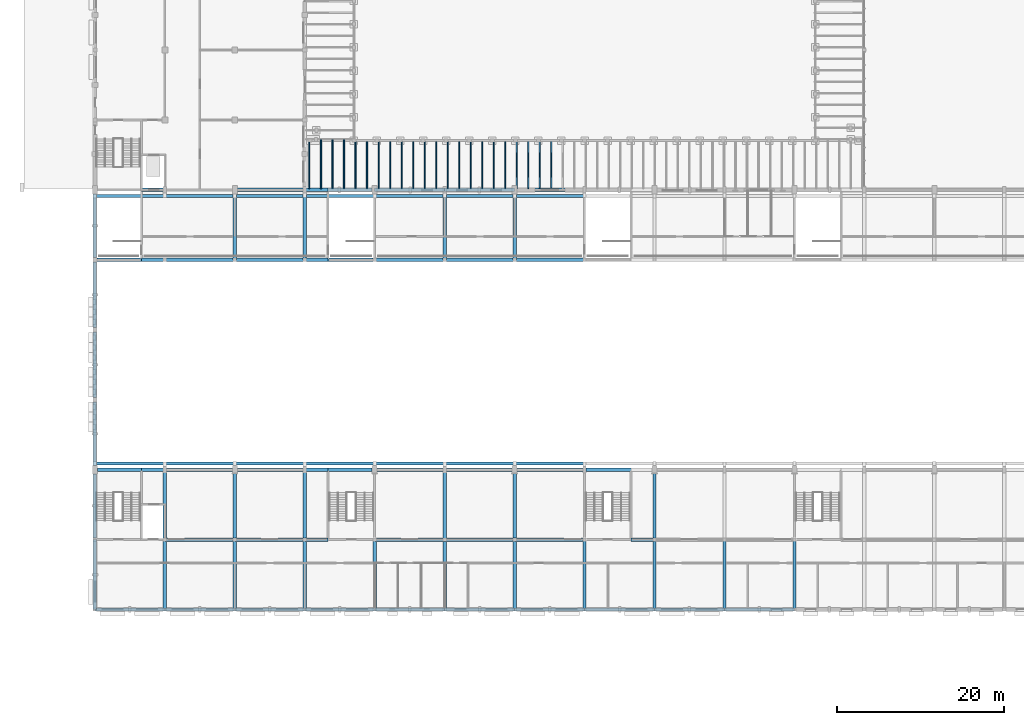
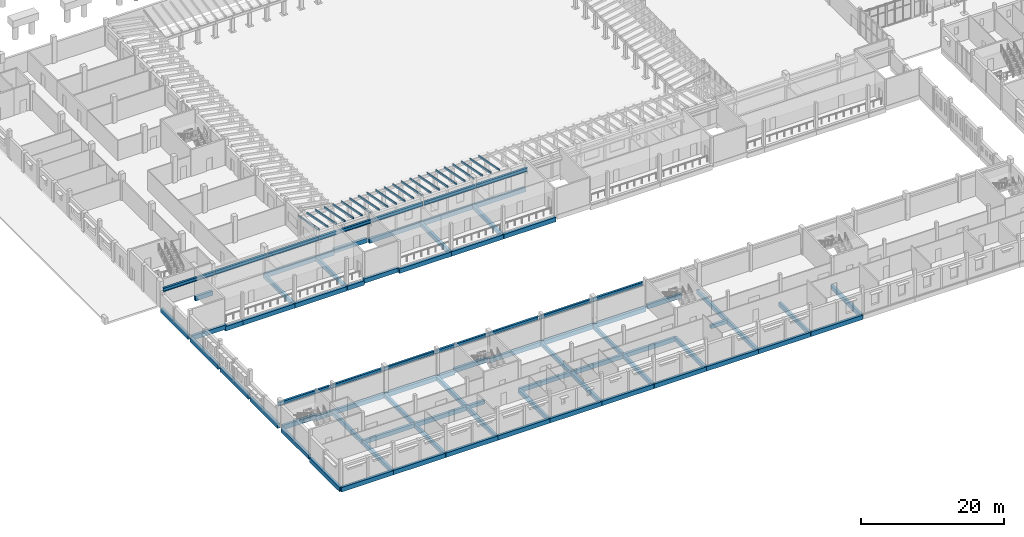
# One storey, part 8 of 60: 83 beams, 22 members.
"""IFC4 building model written with IfcOpenShell, lengths in metres."""

from ifc_helpers import new_model, si_unit, direction, frame, origin, origin_2d, place, context, subcontext, project, spatial, rectangle, i_section, extrude, material, material_profile, profile_set, type_object, element, save


model = new_model("IFC4")

# Units and contexts
model_context = context("Model", 3, precision=1e-05, world=origin(), true_north=direction((0.0, 1.0)))
body_context = subcontext(model_context, "Body", "Model", "MODEL_VIEW")
ifc_project = project(units=[si_unit("LENGTHUNIT", "METRE"), si_unit("AREAUNIT", "SQUARE_METRE"), si_unit("VOLUMEUNIT", "CUBIC_METRE"), si_unit("PLANEANGLEUNIT", "RADIAN"), si_unit("MASSUNIT", "GRAM", prefix="KILO")], contexts=[model_context])

# Site, building, storey
site_placement = place(None, origin())
site = spatial("IfcSite", under=ifc_project, at=site_placement, CompositionType="ELEMENT")
building_placement = place(site_placement, origin())
building = spatial("IfcBuilding", under=site, at=building_placement, Name="Fescue Hill Polytechnic", CompositionType="ELEMENT")
storey_placement = place(building_placement, frame((0.0, 0.0, 4.5)))
storey = spatial("IfcBuildingStorey", under=building, at=storey_placement, Name="L01", CompositionType="ELEMENT", Elevation=4.5)

# Beams
ifc_material_1 = material(Name="Concrete 35 MPa", Category="concrete")
ifc_material_profile_1 = material_profile(ifc_material_1, rectangle(XDim=0.39990234375, YDim=0.60009765625, at=origin_2d()), Name="RC 400x600")
ifc_profile_set_1 = profile_set([ifc_material_profile_1], Name="Concrete 35 MPa")
beam_type_1 = type_object("IfcBeamType", Name="Beam RC 400x600", PredefinedType="BEAM", material=ifc_profile_set_1)
for number, where, z_axis, x_axis, name in (
    (1, (25.2099609375, 8.39990234375, -0.60009765625), (1.0, 0.0, 0.0), (0.0, 1.0, 0.0), "BM-L01-0024"),
    (2, (64.39990234375, 8.39990234375, -0.60009765625), (1.0, 0.0, 0.0), (0.0, 1.0, 0.0), "BM-L01-0052"),
):
    element("IfcBeam", number, at=place(storey_placement, frame(where, z_axis=z_axis, x_axis=x_axis)), inside=storey, type_object=beam_type_1, Name=name, PredefinedType="BEAM", context=body_context, shape_type="SweptSolid", body=[
        extrude(rectangle(XDim=0.39990234375, YDim=0.60009765625, at=origin_2d()), origin(), (0.0, 0.0, 1.0), 2.7900390625),
    ])
ifc_material_profile_2 = material_profile(ifc_material_1, rectangle(XDim=0.39990234375, YDim=0.699951171875, at=origin_2d()), Name="RC 400x700")
ifc_profile_set_2 = profile_set([ifc_material_profile_2], Name="Concrete 35 MPa")
beam_type_2 = type_object("IfcBeamType", Name="Beam RC 400x700", PredefinedType="BEAM", material=ifc_profile_set_2)
beam_1_placement = place(storey_placement, frame((8.39990234375, 0.0, -0.64990234375), z_axis=(0.0, 1.0, 0.0), x_axis=(-1.0, 0.0, 0.0)))
element("IfcBeam", 3, at=beam_1_placement, inside=storey, type_object=beam_type_2, Name="BM-L01-0006", PredefinedType="BEAM", context=body_context, shape_type="SweptSolid", body=[
    extrude(rectangle(XDim=0.39990234375, YDim=0.699951171875, at=origin_2d()), origin(), (0.0, 0.0, 1.0), 8.39990234375),
])
beam_2_placement = place(storey_placement, frame((8.39990234375, 8.39990234375, -0.64990234375), z_axis=(0.0, 1.0, 0.0), x_axis=(-1.0, 0.0, 0.0)))
element("IfcBeam", 4, at=beam_2_placement, inside=storey, type_object=beam_type_2, Name="BM-L01-0007", PredefinedType="BEAM", context=body_context, shape_type="SweptSolid", body=[
    extrude(rectangle(XDim=0.39990234375, YDim=0.699951171875, at=origin_2d()), origin(), (0.0, 0.0, 1.0), 8.400146484375),
])
beam_3_placement = place(storey_placement, frame((8.409912109375, 8.39990234375, -0.64990234375), z_axis=(1.0, 0.0, 0.0), x_axis=(0.0, 1.0, 0.0)))
element("IfcBeam", 5, at=beam_3_placement, inside=storey, type_object=beam_type_2, Name="BM-L01-0010", PredefinedType="BEAM", context=body_context, shape_type="SweptSolid", body=[
    extrude(rectangle(XDim=0.39990234375, YDim=0.699951171875, at=origin_2d()), origin(), (0.0, 0.0, 1.0), 8.380126953125),
])
beam_4_placement = place(storey_placement, frame((16.800048828125, 0.0, -0.64990234375), z_axis=(0.0, 1.0, 0.0), x_axis=(-1.0, 0.0, 0.0)))
element("IfcBeam", 6, at=beam_4_placement, inside=storey, type_object=beam_type_2, Name="BM-L01-0012", PredefinedType="BEAM", context=body_context, shape_type="SweptSolid", body=[
    extrude(rectangle(XDim=0.39990234375, YDim=0.699951171875, at=origin_2d()), origin(), (0.0, 0.0, 1.0), 8.39990234375),
])
beam_5_placement = place(storey_placement, frame((16.800048828125, 8.39990234375, -0.64990234375), z_axis=(0.0, 1.0, 0.0), x_axis=(-1.0, 0.0, 0.0)))
element("IfcBeam", 7, at=beam_5_placement, inside=storey, type_object=beam_type_2, Name="BM-L01-0013", PredefinedType="BEAM", context=body_context, shape_type="SweptSolid", body=[
    extrude(rectangle(XDim=0.39990234375, YDim=0.699951171875, at=origin_2d()), origin(), (0.0, 0.0, 1.0), 8.400146484375),
])
beam_6_placement = place(storey_placement, frame((16.800048828125, 42.0, -0.64990234375), z_axis=(0.0, 1.0, 0.0), x_axis=(-1.0, 0.0, 0.0)))
element("IfcBeam", 8, at=beam_6_placement, inside=storey, type_object=beam_type_2, Name="BM-L01-0014", PredefinedType="BEAM", context=body_context, shape_type="SweptSolid", body=[
    extrude(rectangle(XDim=0.39990234375, YDim=0.699951171875, at=origin_2d()), origin(), (0.0, 0.0, 1.0), 8.39990234375),
])
beam_7_placement = place(storey_placement, frame((16.81005859375, 8.39990234375, -0.64990234375), z_axis=(1.0, 0.0, 0.0), x_axis=(0.0, 1.0, 0.0)))
element("IfcBeam", 9, at=beam_7_placement, inside=storey, type_object=beam_type_2, Name="BM-L01-0016", PredefinedType="BEAM", context=body_context, shape_type="SweptSolid", body=[
    extrude(rectangle(XDim=0.39990234375, YDim=0.699951171875, at=origin_2d()), origin(), (0.0, 0.0, 1.0), 8.3798828125),
])
beam_8_placement = place(storey_placement, frame((25.199951171875, 0.0, -0.64990234375), z_axis=(0.0, 1.0, 0.0), x_axis=(-1.0, 0.0, 0.0)))
element("IfcBeam", 10, at=beam_8_placement, inside=storey, type_object=beam_type_2, Name="BM-L01-0020", PredefinedType="BEAM", context=body_context, shape_type="SweptSolid", body=[
    extrude(rectangle(XDim=0.39990234375, YDim=0.699951171875, at=origin_2d()), origin(), (0.0, 0.0, 1.0), 8.39990234375),
])
beam_9_placement = place(storey_placement, frame((25.199951171875, 8.39990234375, -0.64990234375), z_axis=(0.0, 1.0, 0.0), x_axis=(-1.0, 0.0, 0.0)))
element("IfcBeam", 11, at=beam_9_placement, inside=storey, type_object=beam_type_2, Name="BM-L01-0021", PredefinedType="BEAM", context=body_context, shape_type="SweptSolid", body=[
    extrude(rectangle(XDim=0.39990234375, YDim=0.699951171875, at=origin_2d()), origin(), (0.0, 0.0, 1.0), 8.400146484375),
])
for number, where, z_axis, x_axis, name in (
    (12, (25.199951171875, 42.0, -0.64990234375), (0.0, 1.0, 0.0), (-1.0, 0.0, 0.0), "BM-L01-0022"),
    (13, (33.60009765625, 0.0, -0.64990234375), (0.0, 1.0, 0.0), (-1.0, 0.0, 0.0), "BM-L01-0028"),
):
    element("IfcBeam", number, at=place(storey_placement, frame(where, z_axis=z_axis, x_axis=x_axis)), inside=storey, type_object=beam_type_2, Name=name, PredefinedType="BEAM", context=body_context, shape_type="SweptSolid", body=[
        extrude(rectangle(XDim=0.39990234375, YDim=0.699951171875, at=origin_2d()), origin(), (0.0, 0.0, 1.0), 8.39990234375),
    ])
beam_10_placement = place(storey_placement, frame((33.610107421875, 8.39990234375, -0.64990234375), z_axis=(1.0, 0.0, 0.0), x_axis=(0.0, 1.0, 0.0)))
element("IfcBeam", 14, at=beam_10_placement, inside=storey, type_object=beam_type_2, Name="BM-L01-0033", PredefinedType="BEAM", context=body_context, shape_type="SweptSolid", body=[
    extrude(rectangle(XDim=0.39990234375, YDim=0.699951171875, at=origin_2d()), origin(), (0.0, 0.0, 1.0), 8.3798828125),
])
beam_11_placement = place(storey_placement, frame((42.0, 0.0, -0.64990234375), z_axis=(0.0, 1.0, 0.0), x_axis=(-1.0, 0.0, 0.0)))
element("IfcBeam", 15, at=beam_11_placement, inside=storey, type_object=beam_type_2, Name="BM-L01-0034", PredefinedType="BEAM", context=body_context, shape_type="SweptSolid", body=[
    extrude(rectangle(XDim=0.39990234375, YDim=0.699951171875, at=origin_2d()), origin(), (0.0, 0.0, 1.0), 8.39990234375),
])
beam_12_placement = place(storey_placement, frame((42.0, 8.39990234375, -0.64990234375), z_axis=(0.0, 1.0, 0.0), x_axis=(-1.0, 0.0, 0.0)))
element("IfcBeam", 16, at=beam_12_placement, inside=storey, type_object=beam_type_2, Name="BM-L01-0035", PredefinedType="BEAM", context=body_context, shape_type="SweptSolid", body=[
    extrude(rectangle(XDim=0.39990234375, YDim=0.699951171875, at=origin_2d()), origin(), (0.0, 0.0, 1.0), 8.400146484375),
])
beam_13_placement = place(storey_placement, frame((42.0, 42.0, -0.64990234375), z_axis=(0.0, 1.0, 0.0), x_axis=(-1.0, 0.0, 0.0)))
element("IfcBeam", 17, at=beam_13_placement, inside=storey, type_object=beam_type_2, Name="BM-L01-0036", PredefinedType="BEAM", context=body_context, shape_type="SweptSolid", body=[
    extrude(rectangle(XDim=0.39990234375, YDim=0.699951171875, at=origin_2d()), origin(), (0.0, 0.0, 1.0), 8.39990234375),
])
beam_14_placement = place(storey_placement, frame((42.010009765625, 8.39990234375, -0.64990234375), z_axis=(1.0, 0.0, 0.0), x_axis=(0.0, 1.0, 0.0)))
element("IfcBeam", 18, at=beam_14_placement, inside=storey, type_object=beam_type_2, Name="BM-L01-0038", PredefinedType="BEAM", context=body_context, shape_type="SweptSolid", body=[
    extrude(rectangle(XDim=0.39990234375, YDim=0.699951171875, at=origin_2d()), origin(), (0.0, 0.0, 1.0), 8.3798828125),
])
beam_15_placement = place(storey_placement, frame((50.39990234375, 0.0, -0.64990234375), z_axis=(0.0, 1.0, 0.0), x_axis=(-1.0, 0.0, 0.0)))
element("IfcBeam", 19, at=beam_15_placement, inside=storey, type_object=beam_type_2, Name="BM-L01-0042", PredefinedType="BEAM", context=body_context, shape_type="SweptSolid", body=[
    extrude(rectangle(XDim=0.39990234375, YDim=0.699951171875, at=origin_2d()), origin(), (0.0, 0.0, 1.0), 8.39990234375),
])
beam_16_placement = place(storey_placement, frame((50.39990234375, 8.39990234375, -0.64990234375), z_axis=(0.0, 1.0, 0.0), x_axis=(-1.0, 0.0, 0.0)))
element("IfcBeam", 20, at=beam_16_placement, inside=storey, type_object=beam_type_2, Name="BM-L01-0043", PredefinedType="BEAM", context=body_context, shape_type="SweptSolid", body=[
    extrude(rectangle(XDim=0.39990234375, YDim=0.699951171875, at=origin_2d()), origin(), (0.0, 0.0, 1.0), 8.400146484375),
])
beam_17_placement = place(storey_placement, frame((50.39990234375, 42.0, -0.64990234375), z_axis=(0.0, 1.0, 0.0), x_axis=(-1.0, 0.0, 0.0)))
element("IfcBeam", 21, at=beam_17_placement, inside=storey, type_object=beam_type_2, Name="BM-L01-0044", PredefinedType="BEAM", context=body_context, shape_type="SweptSolid", body=[
    extrude(rectangle(XDim=0.39990234375, YDim=0.699951171875, at=origin_2d()), origin(), (0.0, 0.0, 1.0), 8.39990234375),
])
beam_18_placement = place(storey_placement, frame((50.409912109375, 8.39990234375, -0.64990234375), z_axis=(1.0, 0.0, 0.0), x_axis=(0.0, 1.0, 0.0)))
element("IfcBeam", 22, at=beam_18_placement, inside=storey, type_object=beam_type_2, Name="BM-L01-0046", PredefinedType="BEAM", context=body_context, shape_type="SweptSolid", body=[
    extrude(rectangle(XDim=0.39990234375, YDim=0.699951171875, at=origin_2d()), origin(), (0.0, 0.0, 1.0), 8.380126953125),
])
for number, where, z_axis, x_axis, name in (
    (23, (58.800048828125, 0.0, -0.64990234375), (0.0, 1.0, 0.0), (-1.0, 0.0, 0.0), "BM-L01-0050"),
    (24, (67.199951171875, 0.0, -0.64990234375), (0.0, 1.0, 0.0), (-1.0, 0.0, 0.0), "BM-L01-0056"),
):
    element("IfcBeam", number, at=place(storey_placement, frame(where, z_axis=z_axis, x_axis=x_axis)), inside=storey, type_object=beam_type_2, Name=name, PredefinedType="BEAM", context=body_context, shape_type="SweptSolid", body=[
        extrude(rectangle(XDim=0.39990234375, YDim=0.699951171875, at=origin_2d()), origin(), (0.0, 0.0, 1.0), 8.39990234375),
    ])
beam_19_placement = place(storey_placement, frame((67.199951171875, 8.39990234375, -0.64990234375), z_axis=(0.0, 1.0, 0.0), x_axis=(-1.0, 0.0, 0.0)))
element("IfcBeam", 25, at=beam_19_placement, inside=storey, type_object=beam_type_2, Name="BM-L01-0057", PredefinedType="BEAM", context=body_context, shape_type="SweptSolid", body=[
    extrude(rectangle(XDim=0.39990234375, YDim=0.699951171875, at=origin_2d()), origin(), (0.0, 0.0, 1.0), 8.400146484375),
])
for number, where, z_axis, x_axis, name in (
    (26, (75.60009765625, 0.0, -0.64990234375), (0.0, 1.0, 0.0), (-1.0, 0.0, 0.0), "BM-L01-0064"),
    (27, (84.0, 0.0, -0.64990234375), (0.0, 1.0, 0.0), (-1.0, 0.0, 0.0), "BM-L01-0072"),
):
    element("IfcBeam", number, at=place(storey_placement, frame(where, z_axis=z_axis, x_axis=x_axis)), inside=storey, type_object=beam_type_2, Name=name, PredefinedType="BEAM", context=body_context, shape_type="SweptSolid", body=[
        extrude(rectangle(XDim=0.39990234375, YDim=0.699951171875, at=origin_2d()), origin(), (0.0, 0.0, 1.0), 8.39990234375),
    ])
ifc_material_profile_3 = material_profile(ifc_material_1, rectangle(XDim=0.39990234375, YDim=0.75, at=origin_2d()), Name="RC 400x750")
ifc_profile_set_3 = profile_set([ifc_material_profile_3], Name="Concrete 35 MPa")
beam_type_3 = type_object("IfcBeamType", Name="Beam RC 400x750", PredefinedType="BEAM", material=ifc_profile_set_3)
beam_20_placement = place(storey_placement, frame((0.0, 0.0, -0.675048828125), z_axis=(0.0, 1.0, 0.0), x_axis=(-1.0, 0.0, 0.0)))
element("IfcBeam", 28, at=beam_20_placement, inside=storey, type_object=beam_type_3, Name="BM-L01-0001", PredefinedType="BEAM", context=body_context, shape_type="SweptSolid", body=[
    extrude(rectangle(XDim=0.39990234375, YDim=0.75, at=origin_2d()), origin(), (0.0, 0.0, 1.0), 8.39990234375),
])
beam_21_placement = place(storey_placement, frame((0.010009765625, 0.0, -0.675048828125), z_axis=(1.0, 0.0, 0.0), x_axis=(0.0, 1.0, 0.0)))
element("IfcBeam", 29, at=beam_21_placement, inside=storey, type_object=beam_type_3, Name="BM-L01-0002", PredefinedType="BEAM", context=body_context, shape_type="SweptSolid", body=[
    extrude(rectangle(XDim=0.39990234375, YDim=0.75, at=origin_2d()), origin(), (0.0, 0.0, 1.0), 8.3798828125),
])
beam_22_placement = place(storey_placement, frame((5.60009765625, 16.800048828125, -0.675048828125), z_axis=(1.0, 0.0, 0.0), x_axis=(0.0, 1.0, 0.0)))
element("IfcBeam", 30, at=beam_22_placement, inside=storey, type_object=beam_type_3, Name="BM-L01-0003", PredefinedType="BEAM", context=body_context, shape_type="SweptSolid", body=[
    extrude(rectangle(XDim=0.39990234375, YDim=0.75, at=origin_2d()), origin(), (0.0, 0.0, 1.0), 2.789794921875),
])
for number, where, z_axis, x_axis, name in (
    (31, (5.60009765625, 42.0, -0.675048828125), (1.0, 0.0, 0.0), (0.0, 1.0, 0.0), "BM-L01-0004"),
    (32, (5.60009765625, 50.39990234375, -0.675048828125), (1.0, 0.0, 0.0), (0.0, 1.0, 0.0), "BM-L01-0005"),
):
    element("IfcBeam", number, at=place(storey_placement, frame(where, z_axis=z_axis, x_axis=x_axis)), inside=storey, type_object=beam_type_3, Name=name, PredefinedType="BEAM", context=body_context, shape_type="SweptSolid", body=[
        extrude(rectangle(XDim=0.39990234375, YDim=0.75, at=origin_2d()), origin(), (0.0, 0.0, 1.0), 2.7998046875),
    ])
beam_23_placement = place(storey_placement, frame((8.39990234375, 42.0, -0.675048828125), z_axis=(1.0, 0.0, 0.0), x_axis=(0.0, 1.0, 0.0)))
element("IfcBeam", 33, at=beam_23_placement, inside=storey, type_object=beam_type_3, Name="BM-L01-0008", PredefinedType="BEAM", context=body_context, shape_type="SweptSolid", body=[
    extrude(rectangle(XDim=0.39990234375, YDim=0.75, at=origin_2d()), origin(), (0.0, 0.0, 1.0), 8.39013671875),
])
for number, where, z_axis, x_axis, name in (
    (34, (8.409912109375, 0.0, -0.675048828125), (1.0, 0.0, 0.0), (0.0, 1.0, 0.0), "BM-L01-0009"),
    (35, (8.409912109375, 16.800048828125, -0.675048828125), (1.0, 0.0, 0.0), (0.0, 1.0, 0.0), "BM-L01-0011"),
):
    element("IfcBeam", number, at=place(storey_placement, frame(where, z_axis=z_axis, x_axis=x_axis)), inside=storey, type_object=beam_type_3, Name=name, PredefinedType="BEAM", context=body_context, shape_type="SweptSolid", body=[
        extrude(rectangle(XDim=0.39990234375, YDim=0.75, at=origin_2d()), origin(), (0.0, 0.0, 1.0), 8.380126953125),
    ])
for number, where, z_axis, x_axis, name in (
    (36, (16.81005859375, 0.0, -0.675048828125), (1.0, 0.0, 0.0), (0.0, 1.0, 0.0), "BM-L01-0015"),
    (37, (16.81005859375, 16.800048828125, -0.675048828125), (1.0, 0.0, 0.0), (0.0, 1.0, 0.0), "BM-L01-0017"),
    (38, (16.81005859375, 42.0, -0.675048828125), (1.0, 0.0, 0.0), (0.0, 1.0, 0.0), "BM-L01-0018"),
    (39, (16.81005859375, 50.39990234375, -0.675048828125), (1.0, 0.0, 0.0), (0.0, 1.0, 0.0), "BM-L01-0019"),
):
    element("IfcBeam", number, at=place(storey_placement, frame(where, z_axis=z_axis, x_axis=x_axis)), inside=storey, type_object=beam_type_3, Name=name, PredefinedType="BEAM", context=body_context, shape_type="SweptSolid", body=[
        extrude(rectangle(XDim=0.39990234375, YDim=0.75, at=origin_2d()), origin(), (0.0, 0.0, 1.0), 8.3798828125),
    ])
beam_24_placement = place(storey_placement, frame((25.2099609375, 0.0, -0.675048828125), z_axis=(1.0, 0.0, 0.0), x_axis=(0.0, 1.0, 0.0)))
element("IfcBeam", 40, at=beam_24_placement, inside=storey, type_object=beam_type_3, Name="BM-L01-0023", PredefinedType="BEAM", context=body_context, shape_type="SweptSolid", body=[
    extrude(rectangle(XDim=0.39990234375, YDim=0.75, at=origin_2d()), origin(), (0.0, 0.0, 1.0), 8.380126953125),
])
for number, where, z_axis, x_axis, name in (
    (41, (25.2099609375, 16.800048828125, -0.675048828125), (1.0, 0.0, 0.0), (0.0, 1.0, 0.0), "BM-L01-0025"),
    (42, (25.2099609375, 42.0, -0.675048828125), (1.0, 0.0, 0.0), (0.0, 1.0, 0.0), "BM-L01-0026"),
    (43, (25.2099609375, 50.39990234375, -0.675048828125), (1.0, 0.0, 0.0), (0.0, 1.0, 0.0), "BM-L01-0027"),
):
    element("IfcBeam", number, at=place(storey_placement, frame(where, z_axis=z_axis, x_axis=x_axis)), inside=storey, type_object=beam_type_3, Name=name, PredefinedType="BEAM", context=body_context, shape_type="SweptSolid", body=[
        extrude(rectangle(XDim=0.39990234375, YDim=0.75, at=origin_2d()), origin(), (0.0, 0.0, 1.0), 2.7900390625),
    ])
for number, where, z_axis, x_axis, name in (
    (44, (33.60009765625, 16.800048828125, -0.675048828125), (1.0, 0.0, 0.0), (0.0, 1.0, 0.0), "BM-L01-0029"),
    (45, (33.60009765625, 42.0, -0.675048828125), (1.0, 0.0, 0.0), (0.0, 1.0, 0.0), "BM-L01-0030"),
    (46, (33.60009765625, 50.39990234375, -0.675048828125), (1.0, 0.0, 0.0), (0.0, 1.0, 0.0), "BM-L01-0031"),
):
    element("IfcBeam", number, at=place(storey_placement, frame(where, z_axis=z_axis, x_axis=x_axis)), inside=storey, type_object=beam_type_3, Name=name, PredefinedType="BEAM", context=body_context, shape_type="SweptSolid", body=[
        extrude(rectangle(XDim=0.39990234375, YDim=0.75, at=origin_2d()), origin(), (0.0, 0.0, 1.0), 8.389892578125),
    ])
for number, where, z_axis, x_axis, name in (
    (47, (33.610107421875, 0.0, -0.675048828125), (1.0, 0.0, 0.0), (0.0, 1.0, 0.0), "BM-L01-0032"),
    (48, (42.010009765625, 0.0, -0.675048828125), (1.0, 0.0, 0.0), (0.0, 1.0, 0.0), "BM-L01-0037"),
    (49, (42.010009765625, 16.800048828125, -0.675048828125), (1.0, 0.0, 0.0), (0.0, 1.0, 0.0), "BM-L01-0039"),
    (50, (42.010009765625, 42.0, -0.675048828125), (1.0, 0.0, 0.0), (0.0, 1.0, 0.0), "BM-L01-0040"),
    (51, (42.010009765625, 50.39990234375, -0.675048828125), (1.0, 0.0, 0.0), (0.0, 1.0, 0.0), "BM-L01-0041"),
):
    element("IfcBeam", number, at=place(storey_placement, frame(where, z_axis=z_axis, x_axis=x_axis)), inside=storey, type_object=beam_type_3, Name=name, PredefinedType="BEAM", context=body_context, shape_type="SweptSolid", body=[
        extrude(rectangle(XDim=0.39990234375, YDim=0.75, at=origin_2d()), origin(), (0.0, 0.0, 1.0), 8.3798828125),
    ])
beam_25_placement = place(storey_placement, frame((50.409912109375, 0.0, -0.675048828125), z_axis=(1.0, 0.0, 0.0), x_axis=(0.0, 1.0, 0.0)))
element("IfcBeam", 52, at=beam_25_placement, inside=storey, type_object=beam_type_3, Name="BM-L01-0045", PredefinedType="BEAM", context=body_context, shape_type="SweptSolid", body=[
    extrude(rectangle(XDim=0.39990234375, YDim=0.75, at=origin_2d()), origin(), (0.0, 0.0, 1.0), 8.380126953125),
])
for number, where, z_axis, x_axis, name in (
    (53, (50.409912109375, 16.800048828125, -0.675048828125), (1.0, 0.0, 0.0), (0.0, 1.0, 0.0), "BM-L01-0047"),
    (54, (50.409912109375, 42.0, -0.675048828125), (1.0, 0.0, 0.0), (0.0, 1.0, 0.0), "BM-L01-0048"),
    (55, (50.409912109375, 50.39990234375, -0.675048828125), (1.0, 0.0, 0.0), (0.0, 1.0, 0.0), "BM-L01-0049"),
):
    element("IfcBeam", number, at=place(storey_placement, frame(where, z_axis=z_axis, x_axis=x_axis)), inside=storey, type_object=beam_type_3, Name=name, PredefinedType="BEAM", context=body_context, shape_type="SweptSolid", body=[
        extrude(rectangle(XDim=0.39990234375, YDim=0.75, at=origin_2d()), origin(), (0.0, 0.0, 1.0), 8.39013671875),
    ])
beam_26_placement = place(storey_placement, frame((58.81005859375, 0.0, -0.675048828125), z_axis=(1.0, 0.0, 0.0), x_axis=(0.0, 1.0, 0.0)))
element("IfcBeam", 56, at=beam_26_placement, inside=storey, type_object=beam_type_3, Name="BM-L01-0051", PredefinedType="BEAM", context=body_context, shape_type="SweptSolid", body=[
    extrude(rectangle(XDim=0.39990234375, YDim=0.75, at=origin_2d()), origin(), (0.0, 0.0, 1.0), 8.3798828125),
])
beam_27_placement = place(storey_placement, frame((67.2099609375, 0.0, -0.675048828125), z_axis=(1.0, 0.0, 0.0), x_axis=(0.0, 1.0, 0.0)))
element("IfcBeam", 57, at=beam_27_placement, inside=storey, type_object=beam_type_3, Name="BM-L01-0059", PredefinedType="BEAM", context=body_context, shape_type="SweptSolid", body=[
    extrude(rectangle(XDim=0.39990234375, YDim=0.75, at=origin_2d()), origin(), (0.0, 0.0, 1.0), 8.380126953125),
])
beam_28_placement = place(storey_placement, frame((75.610107421875, 0.0, -0.675048828125), z_axis=(1.0, 0.0, 0.0), x_axis=(0.0, 1.0, 0.0)))
element("IfcBeam", 58, at=beam_28_placement, inside=storey, type_object=beam_type_3, Name="BM-L01-0067", PredefinedType="BEAM", context=body_context, shape_type="SweptSolid", body=[
    extrude(rectangle(XDim=0.39990234375, YDim=0.75, at=origin_2d()), origin(), (0.0, 0.0, 1.0), 8.3798828125),
])
beam_29_placement = place(storey_placement, frame((0.0, 8.60009765625, -0.375), z_axis=(0.0, 1.0, 0.0), x_axis=(-1.0, 0.0, 0.0)))
element("IfcBeam", 59, at=beam_29_placement, inside=storey, type_object=beam_type_3, Name="BM-L01-0122", PredefinedType="BEAM", context=body_context, shape_type="SweptSolid", body=[
    extrude(rectangle(XDim=0.39990234375, YDim=0.75, at=origin_2d()), origin(), (0.0, 0.0, 1.0), 7.699951171875),
])
beam_30_placement = place(storey_placement, frame((0.0, 24.949951171875, -0.375), z_axis=(0.0, -1.0, 0.0), x_axis=(1.0, 0.0, 0.0)))
element("IfcBeam", 60, at=beam_30_placement, inside=storey, type_object=beam_type_3, Name="BM-L01-0123", PredefinedType="BEAM", context=body_context, shape_type="SweptSolid", body=[
    extrude(rectangle(XDim=0.39990234375, YDim=0.75, at=origin_2d()), origin(), (0.0, 0.0, 1.0), 7.64990234375),
])
beam_31_placement = place(storey_placement, frame((0.0, 33.35009765625, -0.375), z_axis=(0.0, -1.0, 0.0), x_axis=(1.0, 0.0, 0.0)))
element("IfcBeam", 61, at=beam_31_placement, inside=storey, type_object=beam_type_3, Name="BM-L01-0124", PredefinedType="BEAM", context=body_context, shape_type="SweptSolid", body=[
    extrude(rectangle(XDim=0.39990234375, YDim=0.75, at=origin_2d()), origin(), (0.0, 0.0, 1.0), 7.900146484375),
])
beam_32_placement = place(storey_placement, frame((0.0, 41.75, -0.375), z_axis=(0.0, -1.0, 0.0), x_axis=(1.0, 0.0, 0.0)))
element("IfcBeam", 62, at=beam_32_placement, inside=storey, type_object=beam_type_3, Name="BM-L01-0125", PredefinedType="BEAM", context=body_context, shape_type="SweptSolid", body=[
    extrude(rectangle(XDim=0.39990234375, YDim=0.75, at=origin_2d()), origin(), (0.0, 0.0, 1.0), 7.89990234375),
])
beam_33_placement = place(storey_placement, frame((0.0, 42.25, -0.375), z_axis=(0.0, 1.0, 0.0), x_axis=(-1.0, 0.0, 0.0)))
element("IfcBeam", 63, at=beam_33_placement, inside=storey, type_object=beam_type_3, Name="BM-L01-0126", PredefinedType="BEAM", context=body_context, shape_type="SweptSolid", body=[
    extrude(rectangle(XDim=0.39990234375, YDim=0.75, at=origin_2d()), origin(), (0.0, 0.0, 1.0), 7.64990234375),
])
beam_34_placement = place(storey_placement, frame((0.25, 42.0, -0.375), z_axis=(1.0, 0.0, 0.0), x_axis=(0.0, 1.0, 0.0)))
element("IfcBeam", 64, at=beam_34_placement, inside=storey, type_object=beam_type_3, Name="BM-L01-0127", PredefinedType="BEAM", context=body_context, shape_type="SweptSolid", body=[
    extrude(rectangle(XDim=0.39990234375, YDim=0.75, at=origin_2d()), origin(), (0.0, 0.0, 1.0), 5.47509765625),
])
for number, where, z_axis, x_axis, name in (
    (65, (0.300048828125, 16.800048828125, -0.375), (1.0, 0.0, 0.0), (0.0, 1.0, 0.0), "BM-L01-0128"),
    (66, (27.875, 16.800048828125, -0.375), (1.0, 0.0, 0.0), (0.0, 1.0, 0.0), "BM-L01-0129"),
):
    element("IfcBeam", number, at=place(storey_placement, frame(where, z_axis=z_axis, x_axis=x_axis)), inside=storey, type_object=beam_type_3, Name=name, PredefinedType="BEAM", context=body_context, shape_type="SweptSolid", body=[
        extrude(rectangle(XDim=0.39990234375, YDim=0.75, at=origin_2d()), origin(), (0.0, 0.0, 1.0), 5.425048828125),
    ])
beam_35_placement = place(storey_placement, frame((27.875, 42.0, -0.375), z_axis=(1.0, 0.0, 0.0), x_axis=(0.0, 1.0, 0.0)))
element("IfcBeam", 67, at=beam_35_placement, inside=storey, type_object=beam_type_3, Name="BM-L01-0130", PredefinedType="BEAM", context=body_context, shape_type="SweptSolid", body=[
    extrude(rectangle(XDim=0.39990234375, YDim=0.75, at=origin_2d()), origin(), (0.0, 0.0, 1.0), 5.52490234375),
])
beam_36_placement = place(storey_placement, frame((27.875, 50.39990234375, -0.375), z_axis=(1.0, 0.0, 0.0), x_axis=(0.0, 1.0, 0.0)))
element("IfcBeam", 68, at=beam_36_placement, inside=storey, type_object=beam_type_3, Name="BM-L01-0131", PredefinedType="BEAM", context=body_context, shape_type="SweptSolid", body=[
    extrude(rectangle(XDim=0.39990234375, YDim=0.75, at=origin_2d()), origin(), (0.0, 0.0, 1.0), 5.425048828125),
])
beam_37_placement = place(storey_placement, frame((59.0, 16.800048828125, -0.375), z_axis=(1.0, 0.0, 0.0), x_axis=(0.0, 1.0, 0.0)))
element("IfcBeam", 69, at=beam_37_placement, inside=storey, type_object=beam_type_3, Name="BM-L01-0132", PredefinedType="BEAM", context=body_context, shape_type="SweptSolid", body=[
    extrude(rectangle(XDim=0.39990234375, YDim=0.75, at=origin_2d()), origin(), (0.0, 0.0, 1.0), 5.52490234375),
])
ifc_material_2 = material(Name="Steel 350W (350 MPa)", Category="steel")
ifc_material_profile_4 = material_profile(ifc_material_2, i_section(OverallWidth=0.323974609375, OverallDepth=0.611083984375, WebThickness=0.0126953125, FlangeThickness=0.01904296875, FilletRadius=0.02197265625, at=origin_2d()), Name="W610x155")
ifc_profile_set_4 = profile_set([ifc_material_profile_4], Name="Steel 350W (350 MPa)")
beam_type_4 = type_object("IfcBeamType", Name="Crane runway girder W610x155", PredefinedType="BEAM", material=ifc_profile_set_4)
for number, where, z_axis, x_axis, name in (
    (70, (0.050048828125, 17.550048828125, 3.194580078125), (1.0, 0.0, 0.0), (0.0, 1.0, 0.0), "Crane runway girder S1"),
    (71, (8.449951171875, 17.550048828125, 3.194580078125), (1.0, 0.0, 0.0), (0.0, 1.0, 0.0), "Crane runway girder S2"),
):
    element("IfcBeam", number, at=place(storey_placement, frame(where, z_axis=z_axis, x_axis=x_axis)), inside=storey, type_object=beam_type_4, Name=name, PredefinedType="BEAM", context=body_context, shape_type="SweptSolid", body=[
        extrude(i_section(OverallWidth=0.323974609375, OverallDepth=0.611083984375, WebThickness=0.0126953125, FlangeThickness=0.01904296875, FilletRadius=0.02197265625, at=origin_2d()), origin(), (0.0, 0.0, 1.0), 8.300048828125),
    ])
beam_38_placement = place(storey_placement, frame((16.85009765625, 17.550048828125, 3.194580078125), z_axis=(1.0, 0.0, 0.0), x_axis=(0.0, 1.0, 0.0)))
element("IfcBeam", 72, at=beam_38_placement, inside=storey, type_object=beam_type_4, Name="Crane runway girder S3", PredefinedType="BEAM", context=body_context, shape_type="SweptSolid", body=[
    extrude(i_section(OverallWidth=0.323974609375, OverallDepth=0.611083984375, WebThickness=0.0126953125, FlangeThickness=0.01904296875, FilletRadius=0.02197265625, at=origin_2d()), origin(), (0.0, 0.0, 1.0), 8.2998046875),
])
for number, where, z_axis, x_axis, name in (
    (73, (25.25, 17.550048828125, 3.194580078125), (1.0, 0.0, 0.0), (0.0, 1.0, 0.0), "Crane runway girder S4"),
    (74, (33.64990234375, 17.550048828125, 3.194580078125), (1.0, 0.0, 0.0), (0.0, 1.0, 0.0), "Crane runway girder S5"),
    (75, (42.050048828125, 17.550048828125, 3.194580078125), (1.0, 0.0, 0.0), (0.0, 1.0, 0.0), "Crane runway girder S6"),
    (76, (50.449951171875, 17.550048828125, 3.194580078125), (1.0, 0.0, 0.0), (0.0, 1.0, 0.0), "Crane runway girder S7"),
    (77, (0.050048828125, 49.64990234375, 3.194580078125), (1.0, 0.0, 0.0), (0.0, 1.0, 0.0), "Crane runway girder N1"),
    (78, (8.449951171875, 49.64990234375, 3.194580078125), (1.0, 0.0, 0.0), (0.0, 1.0, 0.0), "Crane runway girder N2"),
):
    element("IfcBeam", number, at=place(storey_placement, frame(where, z_axis=z_axis, x_axis=x_axis)), inside=storey, type_object=beam_type_4, Name=name, PredefinedType="BEAM", context=body_context, shape_type="SweptSolid", body=[
        extrude(i_section(OverallWidth=0.323974609375, OverallDepth=0.611083984375, WebThickness=0.0126953125, FlangeThickness=0.01904296875, FilletRadius=0.02197265625, at=origin_2d()), origin(), (0.0, 0.0, 1.0), 8.300048828125),
    ])
beam_39_placement = place(storey_placement, frame((16.85009765625, 49.64990234375, 3.194580078125), z_axis=(1.0, 0.0, 0.0), x_axis=(0.0, 1.0, 0.0)))
element("IfcBeam", 79, at=beam_39_placement, inside=storey, type_object=beam_type_4, Name="Crane runway girder N3", PredefinedType="BEAM", context=body_context, shape_type="SweptSolid", body=[
    extrude(i_section(OverallWidth=0.323974609375, OverallDepth=0.611083984375, WebThickness=0.0126953125, FlangeThickness=0.01904296875, FilletRadius=0.02197265625, at=origin_2d()), origin(), (0.0, 0.0, 1.0), 8.2998046875),
])
for number, where, z_axis, x_axis, name in (
    (80, (25.25, 49.64990234375, 3.194580078125), (1.0, 0.0, 0.0), (0.0, 1.0, 0.0), "Crane runway girder N4"),
    (81, (33.64990234375, 49.64990234375, 3.194580078125), (1.0, 0.0, 0.0), (0.0, 1.0, 0.0), "Crane runway girder N5"),
    (82, (42.050048828125, 49.64990234375, 3.194580078125), (1.0, 0.0, 0.0), (0.0, 1.0, 0.0), "Crane runway girder N6"),
    (83, (50.449951171875, 49.64990234375, 3.194580078125), (1.0, 0.0, 0.0), (0.0, 1.0, 0.0), "Crane runway girder N7"),
):
    element("IfcBeam", number, at=place(storey_placement, frame(where, z_axis=z_axis, x_axis=x_axis)), inside=storey, type_object=beam_type_4, Name=name, PredefinedType="BEAM", context=body_context, shape_type="SweptSolid", body=[
        extrude(i_section(OverallWidth=0.323974609375, OverallDepth=0.611083984375, WebThickness=0.0126953125, FlangeThickness=0.01904296875, FilletRadius=0.02197265625, at=origin_2d()), origin(), (0.0, 0.0, 1.0), 8.300048828125),
    ])

# Members
ifc_material_3 = material(Name="Glulam 24f-EX", Category="wood")
ifc_material_profile_5 = material_profile(ifc_material_3, rectangle(XDim=0.1298828125, YDim=0.303955078125, at=origin_2d()), Name="Veranda rafter 130x304")
ifc_profile_set_5 = profile_set([ifc_material_profile_5], Name="Glulam 24f-EX")
member_type = type_object("IfcMemberType", Name="Veranda rafter 130x304", PredefinedType="RAFTER", material=ifc_profile_set_5)
for number, where, z_axis, x_axis, name in (
    (84, (25.764892578125, 50.574951171875, 3.84130859375), (0.0, 0.981058505285, -0.193711665133), (-1.0, 0.0, 0.0), "Hall veranda rafter"),
    (85, (27.147705078125, 50.574951171875, 3.84130859375), (0.0, 0.981058505285, -0.193711665133), (-1.0, 0.0, 0.0), "Hall veranda rafter"),
    (86, (28.530517578125, 50.574951171875, 3.84130859375), (0.0, 0.981058505285, -0.193711665133), (-1.0, 0.0, 0.0), "Hall veranda rafter"),
    (87, (29.9130859375, 50.574951171875, 3.84130859375), (0.0, 0.981058505285, -0.193711665133), (-1.0, 0.0, 0.0), "Hall veranda rafter"),
    (88, (31.2958984375, 50.574951171875, 3.84130859375), (0.0, 0.981058505285, -0.193711665133), (-1.0, 0.0, 0.0), "Hall veranda rafter"),
    (89, (32.678466796875, 50.574951171875, 3.84130859375), (0.0, 0.981058505285, -0.193711665133), (-1.0, 0.0, 0.0), "Hall veranda rafter"),
    (90, (34.061279296875, 50.574951171875, 3.84130859375), (0.0, 0.981058505285, -0.193711665133), (-1.0, 0.0, 0.0), "Hall veranda rafter"),
    (91, (35.44384765625, 50.574951171875, 3.84130859375), (0.0, 0.981058505285, -0.193711665133), (-1.0, 0.0, 0.0), "Hall veranda rafter"),
    (92, (36.82666015625, 50.574951171875, 3.84130859375), (0.0, 0.981058505285, -0.193711665133), (-1.0, 0.0, 0.0), "Hall veranda rafter"),
    (93, (38.20947265625, 50.574951171875, 3.84130859375), (0.0, 0.981058505285, -0.193711665133), (-1.0, 0.0, 0.0), "Hall veranda rafter"),
    (94, (39.592041015625, 50.574951171875, 3.84130859375), (0.0, 0.981058505285, -0.193711665133), (-1.0, 0.0, 0.0), "Hall veranda rafter"),
    (95, (40.974853515625, 50.574951171875, 3.84130859375), (0.0, 0.981058505285, -0.193711665133), (-1.0, 0.0, 0.0), "Hall veranda rafter"),
    (96, (42.357421875, 50.574951171875, 3.84130859375), (0.0, 0.981058505285, -0.193711665133), (-1.0, 0.0, 0.0), "Hall veranda rafter"),
    (97, (43.740234375, 50.574951171875, 3.84130859375), (0.0, 0.981058505285, -0.193711665133), (-1.0, 0.0, 0.0), "Hall veranda rafter"),
    (98, (45.122802734375, 50.574951171875, 3.84130859375), (0.0, 0.981058505285, -0.193711665133), (-1.0, 0.0, 0.0), "Hall veranda rafter"),
    (99, (46.505615234375, 50.574951171875, 3.84130859375), (0.0, 0.981058505285, -0.193711665133), (-1.0, 0.0, 0.0), "Hall veranda rafter"),
    (100, (47.888427734375, 50.574951171875, 3.84130859375), (0.0, 0.981058505285, -0.193711665133), (-1.0, 0.0, 0.0), "Hall veranda rafter"),
    (101, (49.27099609375, 50.574951171875, 3.84130859375), (0.0, 0.981058505285, -0.193711665133), (-1.0, 0.0, 0.0), "Hall veranda rafter"),
    (102, (50.65380859375, 50.574951171875, 3.84130859375), (0.0, 0.981058505285, -0.193711665133), (-1.0, 0.0, 0.0), "Hall veranda rafter"),
    (103, (52.036376953125, 50.574951171875, 3.84130859375), (0.0, 0.981058505285, -0.193711665133), (-1.0, 0.0, 0.0), "Hall veranda rafter"),
    (104, (53.419189453125, 50.574951171875, 3.84130859375), (0.0, 0.981058505285, -0.193711665133), (-1.0, 0.0, 0.0), "Hall veranda rafter"),
    (105, (54.8017578125, 50.574951171875, 3.84130859375), (0.0, 0.981058505285, -0.193711665133), (-1.0, 0.0, 0.0), "Hall veranda rafter"),
):
    element("IfcMember", number, at=place(storey_placement, frame(where, z_axis=z_axis, x_axis=x_axis)), inside=storey, type_object=member_type, Name=name, PredefinedType="RAFTER", context=body_context, shape_type="SweptSolid", body=[
        extrude(rectangle(XDim=0.1298828125, YDim=0.303955078125, at=origin_2d()), origin(), (0.0, 0.0, 1.0), 5.9375),
    ])

save(model, "model.ifc")
